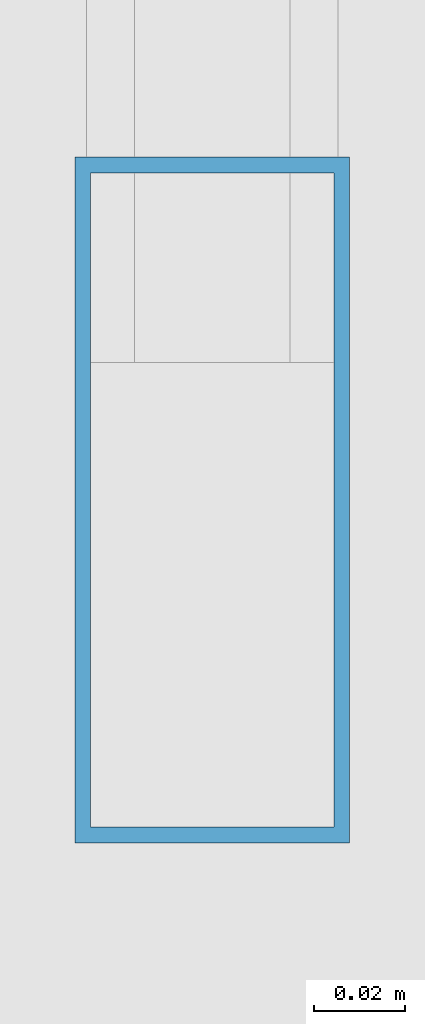
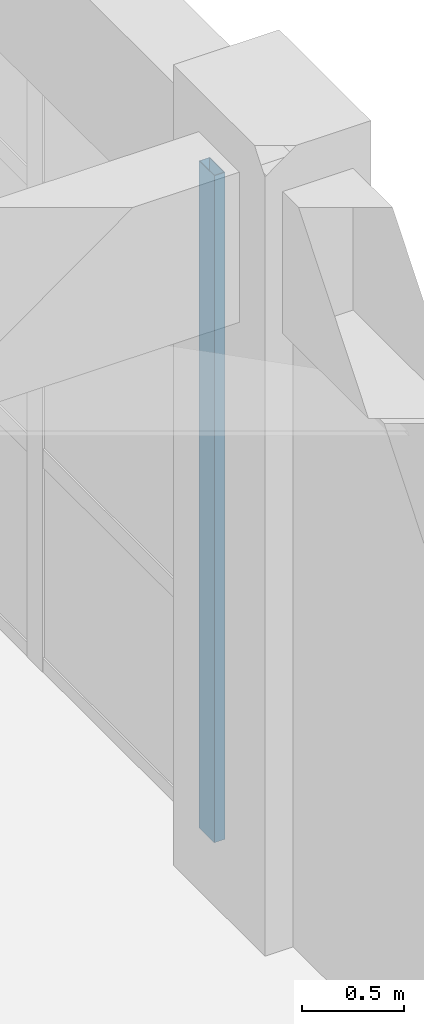
# One storey, part 36 of 63: 1 member, 1 element without a shape of its own.
"""IFC4 building model written with IfcOpenShell, lengths in metres."""

from ifc_helpers import new_model, si_unit, direction, frame, origin, origin_2d, place, context, subcontext, project, spatial, hollow_rectangle, extrude, material, layer, layer_set, material_profile, profile_set, type_object, element, aggregate, save


model = new_model("IFC4")

# Units and contexts
model_context = context("Model", 3, precision=1e-05, world=origin(), true_north=direction((0.0, 1.0)))
body_context = subcontext(model_context, "Body", "Model", "MODEL_VIEW")
ifc_project = project(units=[si_unit("LENGTHUNIT", "METRE"), si_unit("AREAUNIT", "SQUARE_METRE"), si_unit("VOLUMEUNIT", "CUBIC_METRE"), si_unit("PLANEANGLEUNIT", "RADIAN"), si_unit("MASSUNIT", "GRAM", prefix="KILO")], contexts=[model_context])

# Site, building, storey
site_placement = place(None, origin())
site = spatial("IfcSite", under=ifc_project, at=site_placement, CompositionType="ELEMENT")
building_placement = place(site_placement, origin())
building = spatial("IfcBuilding", under=site, at=building_placement, Name="Canggui Botanical Conservatory", CompositionType="ELEMENT")
storey_placement = place(building_placement, frame((0.0, 0.0, 10.199951171875)))
storey = spatial("IfcBuildingStorey", under=building, at=storey_placement, Name="L03", CompositionType="ELEMENT", Elevation=10.199951171875)

# Curtain wall, member
ifc_material = material(Name="Thermally Broken Aluminium", Category="aluminium")
ifc_layer = layer(ifc_material, 0.14990234375, Name="Thermally Broken Aluminium", Category="aluminium")
ifc_layer_set = layer_set([ifc_layer], Name="Thermally Broken Aluminium")
curtain_wall_type = type_object("IfcCurtainWallType", Name="CW-UNIT-C", PredefinedType="USERDEFINED", material=ifc_layer_set)
curtain_wall_placement = place(storey_placement, origin())
curtain_wall = element("IfcCurtainWall", 1, at=curtain_wall_placement, inside=storey, type_object=curtain_wall_type, Name="Facade Curtain Wall CW-TWR-L03-21", ObjectType="UNITISED CURTAIN WALL", PredefinedType="USERDEFINED")
ifc_material_profile = material_profile(ifc_material, hollow_rectangle(XDim=0.06005859375, YDim=0.14990234375, WallThickness=0.00341796875, at=origin_2d()), Name="CWM 60x150x3.5")
ifc_profile_set = profile_set([ifc_material_profile], Name="Thermally Broken Aluminium")
member_type = type_object("IfcMemberType", Name="CWM-03", PredefinedType="MULLION", material=ifc_profile_set)
member_placement = place(storey_placement, frame((177.39990234375, 66.590087890625, 0.0), z_axis=(0.0, 0.0, 1.0), x_axis=(1.0, 0.0, 0.0)))
member = element("IfcMember", 2, at=member_placement, type_object=member_type, Name="CW-03 mullion 5", PredefinedType="MULLION", context=body_context, shape_type="SweptSolid", body=[
    extrude(hollow_rectangle(XDim=0.06005859375, YDim=0.14990234375, WallThickness=0.00341796875, at=origin_2d()), origin(), (0.0, 0.0, 1.0), 4.0),
])
aggregate(curtain_wall, [member])

save(model, "model.ifc")
